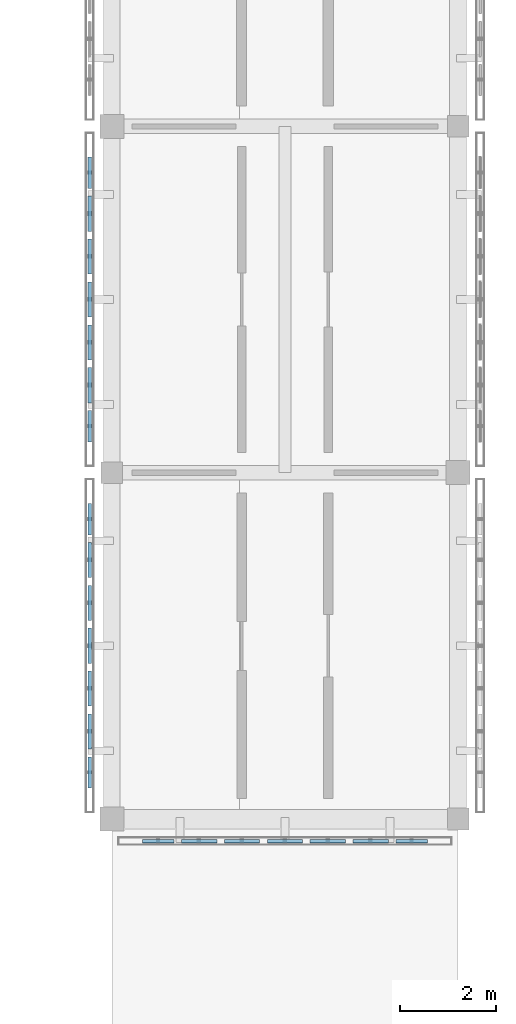
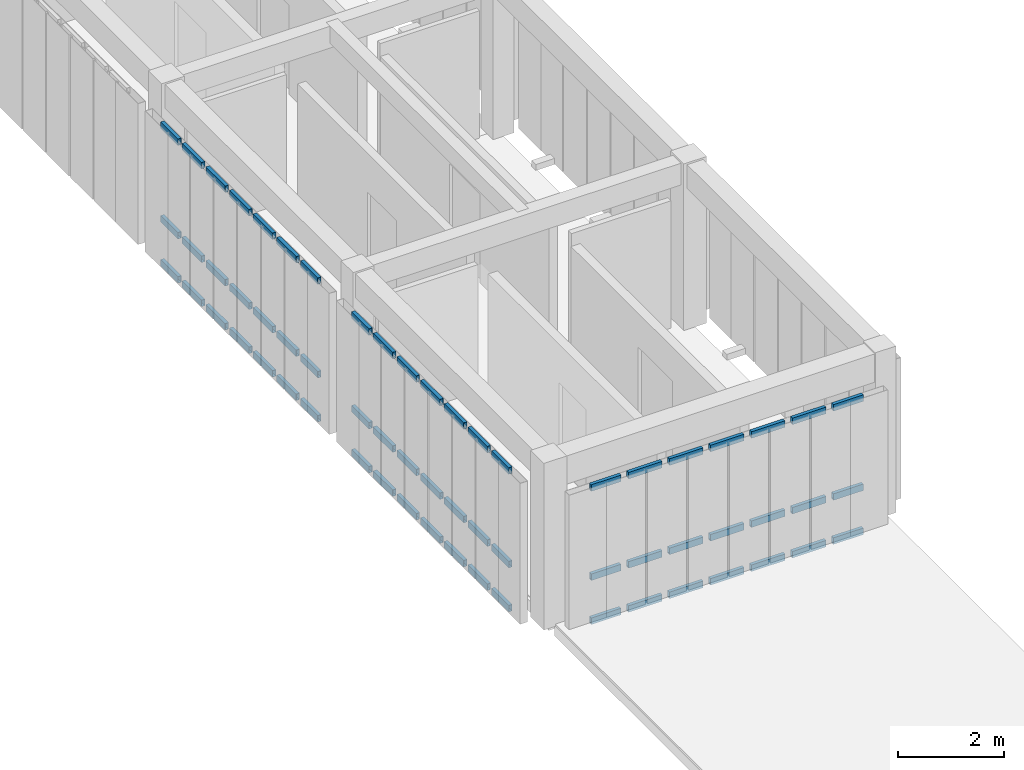
# One storey, part 29 of 67: 63 members, 3 elements without a shape of their own.
"""IFC4 building model written with IfcOpenShell, lengths in metres."""

from ifc_helpers import new_model, si_unit, direction, frame, origin, origin_2d, place, context, subcontext, project, spatial, hollow_rectangle, extrude, material, material_profile, profile_set, type_object, element, aggregate, save


model = new_model("IFC4")

# Units and contexts
model_context = context("Model", 3, precision=1e-05, world=origin(), true_north=direction((0.0, 1.0)))
body_context = subcontext(model_context, "Body", "Model", "MODEL_VIEW")
ifc_project = project(units=[si_unit("LENGTHUNIT", "METRE"), si_unit("AREAUNIT", "SQUARE_METRE"), si_unit("VOLUMEUNIT", "CUBIC_METRE"), si_unit("PLANEANGLEUNIT", "RADIAN"), si_unit("MASSUNIT", "GRAM", prefix="KILO")], contexts=[model_context])

# Site, building, storey
site_placement = place(None, origin())
site = spatial("IfcSite", under=ifc_project, at=site_placement, CompositionType="ELEMENT")
building_placement = place(site_placement, origin())
building = spatial("IfcBuilding", under=site, at=building_placement, Name="Aldebral Square Health Centre", CompositionType="ELEMENT")
storey_placement = place(building_placement, frame((0.0, 0.0, 13.5)))
storey = spatial("IfcBuildingStorey", under=building, at=storey_placement, Name="L03", CompositionType="ELEMENT", Elevation=13.5)

# Curtain wall, members
ifc_material_1 = material(Name="Aluminium and low-E solar glass", Category="aluminium")
curtain_wall_type = type_object("IfcCurtainWallType", Name="CW-FIN-SYS", PredefinedType="USERDEFINED", material=ifc_material_1)
curtain_wall_1_placement = place(storey_placement, origin())
curtain_wall_1 = element("IfcCurtainWall", 1, at=curtain_wall_1_placement, inside=storey, type_object=curtain_wall_type, Name="L03 V5 finned curtain wall L03-V5-19-11-S", ObjectType="SOLAR_CURTAIN_WALL", PredefinedType="USERDEFINED")
ifc_material_2 = material(Name="Anodised aluminium transom", Category="aluminium")
ifc_material_profile = material_profile(ifc_material_2, hollow_rectangle(XDim=0.074951171875, YDim=0.14990234375, WallThickness=0.00390625, at=origin_2d()), Name="CWT 75x150x4")
ifc_profile_set = profile_set([ifc_material_profile], Name="Anodised aluminium transom")
member_type = type_object("IfcMemberType", Name="CWT-STD", PredefinedType="USERDEFINED", material=ifc_profile_set)
member_1_placement = place(storey_placement, frame((137.43994140625, 78.739990234375, 0.03759765625), z_axis=(1.0, 0.0, 0.0), x_axis=(0.0, 1.0, 0.0)))
member_1 = element("IfcMember", 2, at=member_1_placement, type_object=member_type, Name="CW1 transom 1.1", ObjectType="TRANSOM", PredefinedType="USERDEFINED", context=body_context, shape_type="SweptSolid", body=[
    extrude(hollow_rectangle(XDim=0.074951171875, YDim=0.14990234375, WallThickness=0.00390625, at=origin_2d()), origin(), (0.0, 0.0, 1.0), 0.6513671875),
])
member_2_placement = place(storey_placement, frame((137.43994140625, 78.739990234375, 1.050048828125), z_axis=(1.0, 0.0, 0.0), x_axis=(0.0, 1.0, 0.0)))
member_2 = element("IfcMember", 3, at=member_2_placement, type_object=member_type, Name="CW1 transom 1.2", ObjectType="TRANSOM", PredefinedType="USERDEFINED", context=body_context, shape_type="SweptSolid", body=[
    extrude(hollow_rectangle(XDim=0.074951171875, YDim=0.14990234375, WallThickness=0.00390625, at=origin_2d()), origin(), (0.0, 0.0, 1.0), 0.6513671875),
])
member_3_placement = place(storey_placement, frame((137.43994140625, 78.739990234375, 3.1025390625), z_axis=(1.0, 0.0, 0.0), x_axis=(0.0, 1.0, 0.0)))
member_3 = element("IfcMember", 4, at=member_3_placement, type_object=member_type, Name="CW1 transom 1.3", ObjectType="TRANSOM", PredefinedType="USERDEFINED", context=body_context, shape_type="SweptSolid", body=[
    extrude(hollow_rectangle(XDim=0.074951171875, YDim=0.14990234375, WallThickness=0.00390625, at=origin_2d()), origin(), (0.0, 0.0, 1.0), 0.6513671875),
])
member_4_placement = place(storey_placement, frame((138.25146484375, 78.739990234375, 0.03759765625), z_axis=(1.0, 0.0, 0.0), x_axis=(0.0, 1.0, 0.0)))
member_4 = element("IfcMember", 5, at=member_4_placement, type_object=member_type, Name="CW1 transom 2.1", ObjectType="TRANSOM", PredefinedType="USERDEFINED", context=body_context, shape_type="SweptSolid", body=[
    extrude(hollow_rectangle(XDim=0.074951171875, YDim=0.14990234375, WallThickness=0.00390625, at=origin_2d()), origin(), (0.0, 0.0, 1.0), 0.7314453125),
])
member_5_placement = place(storey_placement, frame((138.25146484375, 78.739990234375, 1.050048828125), z_axis=(1.0, 0.0, 0.0), x_axis=(0.0, 1.0, 0.0)))
member_5 = element("IfcMember", 6, at=member_5_placement, type_object=member_type, Name="CW1 transom 2.2", ObjectType="TRANSOM", PredefinedType="USERDEFINED", context=body_context, shape_type="SweptSolid", body=[
    extrude(hollow_rectangle(XDim=0.074951171875, YDim=0.14990234375, WallThickness=0.00390625, at=origin_2d()), origin(), (0.0, 0.0, 1.0), 0.7314453125),
])
member_6_placement = place(storey_placement, frame((138.25146484375, 78.739990234375, 3.1025390625), z_axis=(1.0, 0.0, 0.0), x_axis=(0.0, 1.0, 0.0)))
member_6 = element("IfcMember", 7, at=member_6_placement, type_object=member_type, Name="CW1 transom 2.3", ObjectType="TRANSOM", PredefinedType="USERDEFINED", context=body_context, shape_type="SweptSolid", body=[
    extrude(hollow_rectangle(XDim=0.074951171875, YDim=0.14990234375, WallThickness=0.00390625, at=origin_2d()), origin(), (0.0, 0.0, 1.0), 0.7314453125),
])
member_7_placement = place(storey_placement, frame((139.142822265625, 78.739990234375, 0.03759765625), z_axis=(1.0, 0.0, 0.0), x_axis=(0.0, 1.0, 0.0)))
member_7 = element("IfcMember", 8, at=member_7_placement, type_object=member_type, Name="CW1 transom 3.1", ObjectType="TRANSOM", PredefinedType="USERDEFINED", context=body_context, shape_type="SweptSolid", body=[
    extrude(hollow_rectangle(XDim=0.074951171875, YDim=0.14990234375, WallThickness=0.00390625, at=origin_2d()), origin(), (0.0, 0.0, 1.0), 0.7314453125),
])
member_8_placement = place(storey_placement, frame((139.142822265625, 78.739990234375, 1.050048828125), z_axis=(1.0, 0.0, 0.0), x_axis=(0.0, 1.0, 0.0)))
member_8 = element("IfcMember", 9, at=member_8_placement, type_object=member_type, Name="CW1 transom 3.2", ObjectType="TRANSOM", PredefinedType="USERDEFINED", context=body_context, shape_type="SweptSolid", body=[
    extrude(hollow_rectangle(XDim=0.074951171875, YDim=0.14990234375, WallThickness=0.00390625, at=origin_2d()), origin(), (0.0, 0.0, 1.0), 0.7314453125),
])
member_9_placement = place(storey_placement, frame((139.142822265625, 78.739990234375, 3.1025390625), z_axis=(1.0, 0.0, 0.0), x_axis=(0.0, 1.0, 0.0)))
member_9 = element("IfcMember", 10, at=member_9_placement, type_object=member_type, Name="CW1 transom 3.3", ObjectType="TRANSOM", PredefinedType="USERDEFINED", context=body_context, shape_type="SweptSolid", body=[
    extrude(hollow_rectangle(XDim=0.074951171875, YDim=0.14990234375, WallThickness=0.00390625, at=origin_2d()), origin(), (0.0, 0.0, 1.0), 0.7314453125),
])
member_10_placement = place(storey_placement, frame((140.0341796875, 78.739990234375, 0.03759765625), z_axis=(1.0, 0.0, 0.0), x_axis=(0.0, 1.0, 0.0)))
member_10 = element("IfcMember", 11, at=member_10_placement, type_object=member_type, Name="CW1 transom 4.1", ObjectType="TRANSOM", PredefinedType="USERDEFINED", context=body_context, shape_type="SweptSolid", body=[
    extrude(hollow_rectangle(XDim=0.074951171875, YDim=0.14990234375, WallThickness=0.00390625, at=origin_2d()), origin(), (0.0, 0.0, 1.0), 0.7314453125),
])
member_11_placement = place(storey_placement, frame((140.0341796875, 78.739990234375, 1.050048828125), z_axis=(1.0, 0.0, 0.0), x_axis=(0.0, 1.0, 0.0)))
member_11 = element("IfcMember", 12, at=member_11_placement, type_object=member_type, Name="CW1 transom 4.2", ObjectType="TRANSOM", PredefinedType="USERDEFINED", context=body_context, shape_type="SweptSolid", body=[
    extrude(hollow_rectangle(XDim=0.074951171875, YDim=0.14990234375, WallThickness=0.00390625, at=origin_2d()), origin(), (0.0, 0.0, 1.0), 0.7314453125),
])
member_12_placement = place(storey_placement, frame((140.0341796875, 78.739990234375, 3.1025390625), z_axis=(1.0, 0.0, 0.0), x_axis=(0.0, 1.0, 0.0)))
member_12 = element("IfcMember", 13, at=member_12_placement, type_object=member_type, Name="CW1 transom 4.3", ObjectType="TRANSOM", PredefinedType="USERDEFINED", context=body_context, shape_type="SweptSolid", body=[
    extrude(hollow_rectangle(XDim=0.074951171875, YDim=0.14990234375, WallThickness=0.00390625, at=origin_2d()), origin(), (0.0, 0.0, 1.0), 0.7314453125),
])
member_13_placement = place(storey_placement, frame((140.92578125, 78.739990234375, 0.03759765625), z_axis=(1.0, 0.0, 0.0), x_axis=(0.0, 1.0, 0.0)))
member_13 = element("IfcMember", 14, at=member_13_placement, type_object=member_type, Name="CW1 transom 5.1", ObjectType="TRANSOM", PredefinedType="USERDEFINED", context=body_context, shape_type="SweptSolid", body=[
    extrude(hollow_rectangle(XDim=0.074951171875, YDim=0.14990234375, WallThickness=0.00390625, at=origin_2d()), origin(), (0.0, 0.0, 1.0), 0.7314453125),
])
member_14_placement = place(storey_placement, frame((140.92578125, 78.739990234375, 1.050048828125), z_axis=(1.0, 0.0, 0.0), x_axis=(0.0, 1.0, 0.0)))
member_14 = element("IfcMember", 15, at=member_14_placement, type_object=member_type, Name="CW1 transom 5.2", ObjectType="TRANSOM", PredefinedType="USERDEFINED", context=body_context, shape_type="SweptSolid", body=[
    extrude(hollow_rectangle(XDim=0.074951171875, YDim=0.14990234375, WallThickness=0.00390625, at=origin_2d()), origin(), (0.0, 0.0, 1.0), 0.7314453125),
])
member_15_placement = place(storey_placement, frame((140.92578125, 78.739990234375, 3.1025390625), z_axis=(1.0, 0.0, 0.0), x_axis=(0.0, 1.0, 0.0)))
member_15 = element("IfcMember", 16, at=member_15_placement, type_object=member_type, Name="CW1 transom 5.3", ObjectType="TRANSOM", PredefinedType="USERDEFINED", context=body_context, shape_type="SweptSolid", body=[
    extrude(hollow_rectangle(XDim=0.074951171875, YDim=0.14990234375, WallThickness=0.00390625, at=origin_2d()), origin(), (0.0, 0.0, 1.0), 0.7314453125),
])
member_16_placement = place(storey_placement, frame((141.817138671875, 78.739990234375, 0.03759765625), z_axis=(1.0, 0.0, 0.0), x_axis=(0.0, 1.0, 0.0)))
member_16 = element("IfcMember", 17, at=member_16_placement, type_object=member_type, Name="CW1 transom 6.1", ObjectType="TRANSOM", PredefinedType="USERDEFINED", context=body_context, shape_type="SweptSolid", body=[
    extrude(hollow_rectangle(XDim=0.074951171875, YDim=0.14990234375, WallThickness=0.00390625, at=origin_2d()), origin(), (0.0, 0.0, 1.0), 0.7314453125),
])
member_17_placement = place(storey_placement, frame((141.817138671875, 78.739990234375, 1.050048828125), z_axis=(1.0, 0.0, 0.0), x_axis=(0.0, 1.0, 0.0)))
member_17 = element("IfcMember", 18, at=member_17_placement, type_object=member_type, Name="CW1 transom 6.2", ObjectType="TRANSOM", PredefinedType="USERDEFINED", context=body_context, shape_type="SweptSolid", body=[
    extrude(hollow_rectangle(XDim=0.074951171875, YDim=0.14990234375, WallThickness=0.00390625, at=origin_2d()), origin(), (0.0, 0.0, 1.0), 0.7314453125),
])
member_18_placement = place(storey_placement, frame((141.817138671875, 78.739990234375, 3.1025390625), z_axis=(1.0, 0.0, 0.0), x_axis=(0.0, 1.0, 0.0)))
member_18 = element("IfcMember", 19, at=member_18_placement, type_object=member_type, Name="CW1 transom 6.3", ObjectType="TRANSOM", PredefinedType="USERDEFINED", context=body_context, shape_type="SweptSolid", body=[
    extrude(hollow_rectangle(XDim=0.074951171875, YDim=0.14990234375, WallThickness=0.00390625, at=origin_2d()), origin(), (0.0, 0.0, 1.0), 0.7314453125),
])
member_19_placement = place(storey_placement, frame((142.70849609375, 78.739990234375, 0.03759765625), z_axis=(1.0, 0.0, 0.0), x_axis=(0.0, 1.0, 0.0)))
member_19 = element("IfcMember", 20, at=member_19_placement, type_object=member_type, Name="CW1 transom 7.1", ObjectType="TRANSOM", PredefinedType="USERDEFINED", context=body_context, shape_type="SweptSolid", body=[
    extrude(hollow_rectangle(XDim=0.074951171875, YDim=0.14990234375, WallThickness=0.00390625, at=origin_2d()), origin(), (0.0, 0.0, 1.0), 0.651611328125),
])
member_20_placement = place(storey_placement, frame((142.70849609375, 78.739990234375, 1.050048828125), z_axis=(1.0, 0.0, 0.0), x_axis=(0.0, 1.0, 0.0)))
member_20 = element("IfcMember", 21, at=member_20_placement, type_object=member_type, Name="CW1 transom 7.2", ObjectType="TRANSOM", PredefinedType="USERDEFINED", context=body_context, shape_type="SweptSolid", body=[
    extrude(hollow_rectangle(XDim=0.074951171875, YDim=0.14990234375, WallThickness=0.00390625, at=origin_2d()), origin(), (0.0, 0.0, 1.0), 0.651611328125),
])
member_21_placement = place(storey_placement, frame((142.70849609375, 78.739990234375, 3.1025390625), z_axis=(1.0, 0.0, 0.0), x_axis=(0.0, 1.0, 0.0)))
member_21 = element("IfcMember", 22, at=member_21_placement, type_object=member_type, Name="CW1 transom 7.3", ObjectType="TRANSOM", PredefinedType="USERDEFINED", context=body_context, shape_type="SweptSolid", body=[
    extrude(hollow_rectangle(XDim=0.074951171875, YDim=0.14990234375, WallThickness=0.00390625, at=origin_2d()), origin(), (0.0, 0.0, 1.0), 0.651611328125),
])
aggregate(curtain_wall_1, [member_1, member_2, member_3, member_4, member_5, member_6, member_7, member_8, member_9, member_10, member_11, member_12, member_13, member_14, member_15, member_16, member_17, member_18, member_19, member_20, member_21])

curtain_wall_2_placement = place(storey_placement, origin())
curtain_wall_2 = element("IfcCurtainWall", 23, at=curtain_wall_2_placement, inside=storey, type_object=curtain_wall_type, Name="L03 V5 finned curtain wall L03-V5-19-11-W", ObjectType="SOLAR_CURTAIN_WALL", PredefinedType="USERDEFINED")
member_22_placement = place(storey_placement, frame((136.340087890625, 85.760009765625, 0.03759765625), z_axis=(0.0, -1.0, 0.0), x_axis=(1.0, 0.0, 0.0)))
member_22 = element("IfcMember", 24, at=member_22_placement, type_object=member_type, Name="CW1 transom 1.1", ObjectType="TRANSOM", PredefinedType="USERDEFINED", context=body_context, shape_type="SweptSolid", body=[
    extrude(hollow_rectangle(XDim=0.074951171875, YDim=0.14990234375, WallThickness=0.00390625, at=origin_2d()), origin(), (0.0, 0.0, 1.0), 0.6513671875),
])
member_23_placement = place(storey_placement, frame((136.340087890625, 85.760009765625, 1.050048828125), z_axis=(0.0, -1.0, 0.0), x_axis=(1.0, 0.0, 0.0)))
member_23 = element("IfcMember", 25, at=member_23_placement, type_object=member_type, Name="CW1 transom 1.2", ObjectType="TRANSOM", PredefinedType="USERDEFINED", context=body_context, shape_type="SweptSolid", body=[
    extrude(hollow_rectangle(XDim=0.074951171875, YDim=0.14990234375, WallThickness=0.00390625, at=origin_2d()), origin(), (0.0, 0.0, 1.0), 0.6513671875),
])
member_24_placement = place(storey_placement, frame((136.340087890625, 85.760009765625, 3.202392578125), z_axis=(0.0, -1.0, 0.0), x_axis=(1.0, 0.0, 0.0)))
member_24 = element("IfcMember", 26, at=member_24_placement, type_object=member_type, Name="CW1 transom 1.3", ObjectType="TRANSOM", PredefinedType="USERDEFINED", context=body_context, shape_type="SweptSolid", body=[
    extrude(hollow_rectangle(XDim=0.074951171875, YDim=0.14990234375, WallThickness=0.00390625, at=origin_2d()), origin(), (0.0, 0.0, 1.0), 0.6513671875),
])
member_25_placement = place(storey_placement, frame((136.340087890625, 84.948486328125, 0.03759765625), z_axis=(0.0, -1.0, 0.0), x_axis=(1.0, 0.0, 0.0)))
member_25 = element("IfcMember", 27, at=member_25_placement, type_object=member_type, Name="CW1 transom 2.1", ObjectType="TRANSOM", PredefinedType="USERDEFINED", context=body_context, shape_type="SweptSolid", body=[
    extrude(hollow_rectangle(XDim=0.074951171875, YDim=0.14990234375, WallThickness=0.00390625, at=origin_2d()), origin(), (0.0, 0.0, 1.0), 0.7314453125),
])
member_26_placement = place(storey_placement, frame((136.340087890625, 84.948486328125, 1.050048828125), z_axis=(0.0, -1.0, 0.0), x_axis=(1.0, 0.0, 0.0)))
member_26 = element("IfcMember", 28, at=member_26_placement, type_object=member_type, Name="CW1 transom 2.2", ObjectType="TRANSOM", PredefinedType="USERDEFINED", context=body_context, shape_type="SweptSolid", body=[
    extrude(hollow_rectangle(XDim=0.074951171875, YDim=0.14990234375, WallThickness=0.00390625, at=origin_2d()), origin(), (0.0, 0.0, 1.0), 0.7314453125),
])
member_27_placement = place(storey_placement, frame((136.340087890625, 84.948486328125, 3.202392578125), z_axis=(0.0, -1.0, 0.0), x_axis=(1.0, 0.0, 0.0)))
member_27 = element("IfcMember", 29, at=member_27_placement, type_object=member_type, Name="CW1 transom 2.3", ObjectType="TRANSOM", PredefinedType="USERDEFINED", context=body_context, shape_type="SweptSolid", body=[
    extrude(hollow_rectangle(XDim=0.074951171875, YDim=0.14990234375, WallThickness=0.00390625, at=origin_2d()), origin(), (0.0, 0.0, 1.0), 0.7314453125),
])
member_28_placement = place(storey_placement, frame((136.340087890625, 84.05712890625, 0.03759765625), z_axis=(0.0, -1.0, 0.0), x_axis=(1.0, 0.0, 0.0)))
member_28 = element("IfcMember", 30, at=member_28_placement, type_object=member_type, Name="CW1 transom 3.1", ObjectType="TRANSOM", PredefinedType="USERDEFINED", context=body_context, shape_type="SweptSolid", body=[
    extrude(hollow_rectangle(XDim=0.074951171875, YDim=0.14990234375, WallThickness=0.00390625, at=origin_2d()), origin(), (0.0, 0.0, 1.0), 0.7314453125),
])
member_29_placement = place(storey_placement, frame((136.340087890625, 84.05712890625, 1.050048828125), z_axis=(0.0, -1.0, 0.0), x_axis=(1.0, 0.0, 0.0)))
member_29 = element("IfcMember", 31, at=member_29_placement, type_object=member_type, Name="CW1 transom 3.2", ObjectType="TRANSOM", PredefinedType="USERDEFINED", context=body_context, shape_type="SweptSolid", body=[
    extrude(hollow_rectangle(XDim=0.074951171875, YDim=0.14990234375, WallThickness=0.00390625, at=origin_2d()), origin(), (0.0, 0.0, 1.0), 0.7314453125),
])
member_30_placement = place(storey_placement, frame((136.340087890625, 84.05712890625, 3.202392578125), z_axis=(0.0, -1.0, 0.0), x_axis=(1.0, 0.0, 0.0)))
member_30 = element("IfcMember", 32, at=member_30_placement, type_object=member_type, Name="CW1 transom 3.3", ObjectType="TRANSOM", PredefinedType="USERDEFINED", context=body_context, shape_type="SweptSolid", body=[
    extrude(hollow_rectangle(XDim=0.074951171875, YDim=0.14990234375, WallThickness=0.00390625, at=origin_2d()), origin(), (0.0, 0.0, 1.0), 0.7314453125),
])
member_31_placement = place(storey_placement, frame((136.340087890625, 83.165771484375, 0.03759765625), z_axis=(0.0, -1.0, 0.0), x_axis=(1.0, 0.0, 0.0)))
member_31 = element("IfcMember", 33, at=member_31_placement, type_object=member_type, Name="CW1 transom 4.1", ObjectType="TRANSOM", PredefinedType="USERDEFINED", context=body_context, shape_type="SweptSolid", body=[
    extrude(hollow_rectangle(XDim=0.074951171875, YDim=0.14990234375, WallThickness=0.00390625, at=origin_2d()), origin(), (0.0, 0.0, 1.0), 0.7314453125),
])
member_32_placement = place(storey_placement, frame((136.340087890625, 83.165771484375, 1.050048828125), z_axis=(0.0, -1.0, 0.0), x_axis=(1.0, 0.0, 0.0)))
member_32 = element("IfcMember", 34, at=member_32_placement, type_object=member_type, Name="CW1 transom 4.2", ObjectType="TRANSOM", PredefinedType="USERDEFINED", context=body_context, shape_type="SweptSolid", body=[
    extrude(hollow_rectangle(XDim=0.074951171875, YDim=0.14990234375, WallThickness=0.00390625, at=origin_2d()), origin(), (0.0, 0.0, 1.0), 0.7314453125),
])
member_33_placement = place(storey_placement, frame((136.340087890625, 83.165771484375, 3.202392578125), z_axis=(0.0, -1.0, 0.0), x_axis=(1.0, 0.0, 0.0)))
member_33 = element("IfcMember", 35, at=member_33_placement, type_object=member_type, Name="CW1 transom 4.3", ObjectType="TRANSOM", PredefinedType="USERDEFINED", context=body_context, shape_type="SweptSolid", body=[
    extrude(hollow_rectangle(XDim=0.074951171875, YDim=0.14990234375, WallThickness=0.00390625, at=origin_2d()), origin(), (0.0, 0.0, 1.0), 0.7314453125),
])
member_34_placement = place(storey_placement, frame((136.340087890625, 82.274169921875, 0.03759765625), z_axis=(0.0, -1.0, 0.0), x_axis=(1.0, 0.0, 0.0)))
member_34 = element("IfcMember", 36, at=member_34_placement, type_object=member_type, Name="CW1 transom 5.1", ObjectType="TRANSOM", PredefinedType="USERDEFINED", context=body_context, shape_type="SweptSolid", body=[
    extrude(hollow_rectangle(XDim=0.074951171875, YDim=0.14990234375, WallThickness=0.00390625, at=origin_2d()), origin(), (0.0, 0.0, 1.0), 0.731201171875),
])
member_35_placement = place(storey_placement, frame((136.340087890625, 82.274169921875, 1.050048828125), z_axis=(0.0, -1.0, 0.0), x_axis=(1.0, 0.0, 0.0)))
member_35 = element("IfcMember", 37, at=member_35_placement, type_object=member_type, Name="CW1 transom 5.2", ObjectType="TRANSOM", PredefinedType="USERDEFINED", context=body_context, shape_type="SweptSolid", body=[
    extrude(hollow_rectangle(XDim=0.074951171875, YDim=0.14990234375, WallThickness=0.00390625, at=origin_2d()), origin(), (0.0, 0.0, 1.0), 0.731201171875),
])
member_36_placement = place(storey_placement, frame((136.340087890625, 82.274169921875, 3.202392578125), z_axis=(0.0, -1.0, 0.0), x_axis=(1.0, 0.0, 0.0)))
member_36 = element("IfcMember", 38, at=member_36_placement, type_object=member_type, Name="CW1 transom 5.3", ObjectType="TRANSOM", PredefinedType="USERDEFINED", context=body_context, shape_type="SweptSolid", body=[
    extrude(hollow_rectangle(XDim=0.074951171875, YDim=0.14990234375, WallThickness=0.00390625, at=origin_2d()), origin(), (0.0, 0.0, 1.0), 0.731201171875),
])
member_37_placement = place(storey_placement, frame((136.340087890625, 81.3828125, 0.03759765625), z_axis=(0.0, -1.0, 0.0), x_axis=(1.0, 0.0, 0.0)))
member_37 = element("IfcMember", 39, at=member_37_placement, type_object=member_type, Name="CW1 transom 6.1", ObjectType="TRANSOM", PredefinedType="USERDEFINED", context=body_context, shape_type="SweptSolid", body=[
    extrude(hollow_rectangle(XDim=0.074951171875, YDim=0.14990234375, WallThickness=0.00390625, at=origin_2d()), origin(), (0.0, 0.0, 1.0), 0.7314453125),
])
member_38_placement = place(storey_placement, frame((136.340087890625, 81.3828125, 1.050048828125), z_axis=(0.0, -1.0, 0.0), x_axis=(1.0, 0.0, 0.0)))
member_38 = element("IfcMember", 40, at=member_38_placement, type_object=member_type, Name="CW1 transom 6.2", ObjectType="TRANSOM", PredefinedType="USERDEFINED", context=body_context, shape_type="SweptSolid", body=[
    extrude(hollow_rectangle(XDim=0.074951171875, YDim=0.14990234375, WallThickness=0.00390625, at=origin_2d()), origin(), (0.0, 0.0, 1.0), 0.7314453125),
])
member_39_placement = place(storey_placement, frame((136.340087890625, 81.3828125, 3.202392578125), z_axis=(0.0, -1.0, 0.0), x_axis=(1.0, 0.0, 0.0)))
member_39 = element("IfcMember", 41, at=member_39_placement, type_object=member_type, Name="CW1 transom 6.3", ObjectType="TRANSOM", PredefinedType="USERDEFINED", context=body_context, shape_type="SweptSolid", body=[
    extrude(hollow_rectangle(XDim=0.074951171875, YDim=0.14990234375, WallThickness=0.00390625, at=origin_2d()), origin(), (0.0, 0.0, 1.0), 0.7314453125),
])
member_40_placement = place(storey_placement, frame((136.340087890625, 80.491455078125, 0.03759765625), z_axis=(0.0, -1.0, 0.0), x_axis=(1.0, 0.0, 0.0)))
member_40 = element("IfcMember", 42, at=member_40_placement, type_object=member_type, Name="CW1 transom 7.1", ObjectType="TRANSOM", PredefinedType="USERDEFINED", context=body_context, shape_type="SweptSolid", body=[
    extrude(hollow_rectangle(XDim=0.074951171875, YDim=0.14990234375, WallThickness=0.00390625, at=origin_2d()), origin(), (0.0, 0.0, 1.0), 0.6513671875),
])
member_41_placement = place(storey_placement, frame((136.340087890625, 80.491455078125, 1.050048828125), z_axis=(0.0, -1.0, 0.0), x_axis=(1.0, 0.0, 0.0)))
member_41 = element("IfcMember", 43, at=member_41_placement, type_object=member_type, Name="CW1 transom 7.2", ObjectType="TRANSOM", PredefinedType="USERDEFINED", context=body_context, shape_type="SweptSolid", body=[
    extrude(hollow_rectangle(XDim=0.074951171875, YDim=0.14990234375, WallThickness=0.00390625, at=origin_2d()), origin(), (0.0, 0.0, 1.0), 0.6513671875),
])
member_42_placement = place(storey_placement, frame((136.340087890625, 80.491455078125, 3.202392578125), z_axis=(0.0, -1.0, 0.0), x_axis=(1.0, 0.0, 0.0)))
member_42 = element("IfcMember", 44, at=member_42_placement, type_object=member_type, Name="CW1 transom 7.3", ObjectType="TRANSOM", PredefinedType="USERDEFINED", context=body_context, shape_type="SweptSolid", body=[
    extrude(hollow_rectangle(XDim=0.074951171875, YDim=0.14990234375, WallThickness=0.00390625, at=origin_2d()), origin(), (0.0, 0.0, 1.0), 0.6513671875),
])
aggregate(curtain_wall_2, [member_22, member_23, member_24, member_25, member_26, member_27, member_28, member_29, member_30, member_31, member_32, member_33, member_34, member_35, member_36, member_37, member_38, member_39, member_40, member_41, member_42])

curtain_wall_3_placement = place(storey_placement, origin())
curtain_wall_3 = element("IfcCurtainWall", 45, at=curtain_wall_3_placement, inside=storey, type_object=curtain_wall_type, Name="L03 V5 finned curtain wall L03-V5-19-12-W", ObjectType="SOLAR_CURTAIN_WALL", PredefinedType="USERDEFINED")
member_43_placement = place(storey_placement, frame((136.340087890625, 92.9599609375, 0.03759765625), z_axis=(0.0, -1.0, 0.0), x_axis=(1.0, 0.0, 0.0)))
member_43 = element("IfcMember", 46, at=member_43_placement, type_object=member_type, Name="CW1 transom 1.1", ObjectType="TRANSOM", PredefinedType="USERDEFINED", context=body_context, shape_type="SweptSolid", body=[
    extrude(hollow_rectangle(XDim=0.074951171875, YDim=0.14990234375, WallThickness=0.00390625, at=origin_2d()), origin(), (0.0, 0.0, 1.0), 0.6513671875),
])
member_44_placement = place(storey_placement, frame((136.340087890625, 92.9599609375, 1.050048828125), z_axis=(0.0, -1.0, 0.0), x_axis=(1.0, 0.0, 0.0)))
member_44 = element("IfcMember", 47, at=member_44_placement, type_object=member_type, Name="CW1 transom 1.2", ObjectType="TRANSOM", PredefinedType="USERDEFINED", context=body_context, shape_type="SweptSolid", body=[
    extrude(hollow_rectangle(XDim=0.074951171875, YDim=0.14990234375, WallThickness=0.00390625, at=origin_2d()), origin(), (0.0, 0.0, 1.0), 0.6513671875),
])
member_45_placement = place(storey_placement, frame((136.340087890625, 92.9599609375, 3.202392578125), z_axis=(0.0, -1.0, 0.0), x_axis=(1.0, 0.0, 0.0)))
member_45 = element("IfcMember", 48, at=member_45_placement, type_object=member_type, Name="CW1 transom 1.3", ObjectType="TRANSOM", PredefinedType="USERDEFINED", context=body_context, shape_type="SweptSolid", body=[
    extrude(hollow_rectangle(XDim=0.074951171875, YDim=0.14990234375, WallThickness=0.00390625, at=origin_2d()), origin(), (0.0, 0.0, 1.0), 0.6513671875),
])
member_46_placement = place(storey_placement, frame((136.340087890625, 92.148681640625, 0.03759765625), z_axis=(0.0, -1.0, 0.0), x_axis=(1.0, 0.0, 0.0)))
member_46 = element("IfcMember", 49, at=member_46_placement, type_object=member_type, Name="CW1 transom 2.1", ObjectType="TRANSOM", PredefinedType="USERDEFINED", context=body_context, shape_type="SweptSolid", body=[
    extrude(hollow_rectangle(XDim=0.074951171875, YDim=0.14990234375, WallThickness=0.00390625, at=origin_2d()), origin(), (0.0, 0.0, 1.0), 0.7314453125),
])
member_47_placement = place(storey_placement, frame((136.340087890625, 92.148681640625, 1.050048828125), z_axis=(0.0, -1.0, 0.0), x_axis=(1.0, 0.0, 0.0)))
member_47 = element("IfcMember", 50, at=member_47_placement, type_object=member_type, Name="CW1 transom 2.2", ObjectType="TRANSOM", PredefinedType="USERDEFINED", context=body_context, shape_type="SweptSolid", body=[
    extrude(hollow_rectangle(XDim=0.074951171875, YDim=0.14990234375, WallThickness=0.00390625, at=origin_2d()), origin(), (0.0, 0.0, 1.0), 0.7314453125),
])
member_48_placement = place(storey_placement, frame((136.340087890625, 92.148681640625, 3.202392578125), z_axis=(0.0, -1.0, 0.0), x_axis=(1.0, 0.0, 0.0)))
member_48 = element("IfcMember", 51, at=member_48_placement, type_object=member_type, Name="CW1 transom 2.3", ObjectType="TRANSOM", PredefinedType="USERDEFINED", context=body_context, shape_type="SweptSolid", body=[
    extrude(hollow_rectangle(XDim=0.074951171875, YDim=0.14990234375, WallThickness=0.00390625, at=origin_2d()), origin(), (0.0, 0.0, 1.0), 0.7314453125),
])
member_49_placement = place(storey_placement, frame((136.340087890625, 91.257080078125, 0.03759765625), z_axis=(0.0, -1.0, 0.0), x_axis=(1.0, 0.0, 0.0)))
member_49 = element("IfcMember", 52, at=member_49_placement, type_object=member_type, Name="CW1 transom 3.1", ObjectType="TRANSOM", PredefinedType="USERDEFINED", context=body_context, shape_type="SweptSolid", body=[
    extrude(hollow_rectangle(XDim=0.074951171875, YDim=0.14990234375, WallThickness=0.00390625, at=origin_2d()), origin(), (0.0, 0.0, 1.0), 0.7314453125),
])
member_50_placement = place(storey_placement, frame((136.340087890625, 91.257080078125, 1.050048828125), z_axis=(0.0, -1.0, 0.0), x_axis=(1.0, 0.0, 0.0)))
member_50 = element("IfcMember", 53, at=member_50_placement, type_object=member_type, Name="CW1 transom 3.2", ObjectType="TRANSOM", PredefinedType="USERDEFINED", context=body_context, shape_type="SweptSolid", body=[
    extrude(hollow_rectangle(XDim=0.074951171875, YDim=0.14990234375, WallThickness=0.00390625, at=origin_2d()), origin(), (0.0, 0.0, 1.0), 0.7314453125),
])
member_51_placement = place(storey_placement, frame((136.340087890625, 91.257080078125, 3.202392578125), z_axis=(0.0, -1.0, 0.0), x_axis=(1.0, 0.0, 0.0)))
member_51 = element("IfcMember", 54, at=member_51_placement, type_object=member_type, Name="CW1 transom 3.3", ObjectType="TRANSOM", PredefinedType="USERDEFINED", context=body_context, shape_type="SweptSolid", body=[
    extrude(hollow_rectangle(XDim=0.074951171875, YDim=0.14990234375, WallThickness=0.00390625, at=origin_2d()), origin(), (0.0, 0.0, 1.0), 0.7314453125),
])
member_52_placement = place(storey_placement, frame((136.340087890625, 90.36572265625, 0.03759765625), z_axis=(0.0, -1.0, 0.0), x_axis=(1.0, 0.0, 0.0)))
member_52 = element("IfcMember", 55, at=member_52_placement, type_object=member_type, Name="CW1 transom 4.1", ObjectType="TRANSOM", PredefinedType="USERDEFINED", context=body_context, shape_type="SweptSolid", body=[
    extrude(hollow_rectangle(XDim=0.074951171875, YDim=0.14990234375, WallThickness=0.00390625, at=origin_2d()), origin(), (0.0, 0.0, 1.0), 0.7314453125),
])
member_53_placement = place(storey_placement, frame((136.340087890625, 90.36572265625, 1.050048828125), z_axis=(0.0, -1.0, 0.0), x_axis=(1.0, 0.0, 0.0)))
member_53 = element("IfcMember", 56, at=member_53_placement, type_object=member_type, Name="CW1 transom 4.2", ObjectType="TRANSOM", PredefinedType="USERDEFINED", context=body_context, shape_type="SweptSolid", body=[
    extrude(hollow_rectangle(XDim=0.074951171875, YDim=0.14990234375, WallThickness=0.00390625, at=origin_2d()), origin(), (0.0, 0.0, 1.0), 0.7314453125),
])
member_54_placement = place(storey_placement, frame((136.340087890625, 90.36572265625, 3.202392578125), z_axis=(0.0, -1.0, 0.0), x_axis=(1.0, 0.0, 0.0)))
member_54 = element("IfcMember", 57, at=member_54_placement, type_object=member_type, Name="CW1 transom 4.3", ObjectType="TRANSOM", PredefinedType="USERDEFINED", context=body_context, shape_type="SweptSolid", body=[
    extrude(hollow_rectangle(XDim=0.074951171875, YDim=0.14990234375, WallThickness=0.00390625, at=origin_2d()), origin(), (0.0, 0.0, 1.0), 0.7314453125),
])
member_55_placement = place(storey_placement, frame((136.340087890625, 89.474365234375, 0.03759765625), z_axis=(0.0, -1.0, 0.0), x_axis=(1.0, 0.0, 0.0)))
member_55 = element("IfcMember", 58, at=member_55_placement, type_object=member_type, Name="CW1 transom 5.1", ObjectType="TRANSOM", PredefinedType="USERDEFINED", context=body_context, shape_type="SweptSolid", body=[
    extrude(hollow_rectangle(XDim=0.074951171875, YDim=0.14990234375, WallThickness=0.00390625, at=origin_2d()), origin(), (0.0, 0.0, 1.0), 0.7314453125),
])
member_56_placement = place(storey_placement, frame((136.340087890625, 89.474365234375, 1.050048828125), z_axis=(0.0, -1.0, 0.0), x_axis=(1.0, 0.0, 0.0)))
member_56 = element("IfcMember", 59, at=member_56_placement, type_object=member_type, Name="CW1 transom 5.2", ObjectType="TRANSOM", PredefinedType="USERDEFINED", context=body_context, shape_type="SweptSolid", body=[
    extrude(hollow_rectangle(XDim=0.074951171875, YDim=0.14990234375, WallThickness=0.00390625, at=origin_2d()), origin(), (0.0, 0.0, 1.0), 0.7314453125),
])
member_57_placement = place(storey_placement, frame((136.340087890625, 89.474365234375, 3.202392578125), z_axis=(0.0, -1.0, 0.0), x_axis=(1.0, 0.0, 0.0)))
member_57 = element("IfcMember", 60, at=member_57_placement, type_object=member_type, Name="CW1 transom 5.3", ObjectType="TRANSOM", PredefinedType="USERDEFINED", context=body_context, shape_type="SweptSolid", body=[
    extrude(hollow_rectangle(XDim=0.074951171875, YDim=0.14990234375, WallThickness=0.00390625, at=origin_2d()), origin(), (0.0, 0.0, 1.0), 0.7314453125),
])
member_58_placement = place(storey_placement, frame((136.340087890625, 88.582763671875, 0.03759765625), z_axis=(0.0, -1.0, 0.0), x_axis=(1.0, 0.0, 0.0)))
member_58 = element("IfcMember", 61, at=member_58_placement, type_object=member_type, Name="CW1 transom 6.1", ObjectType="TRANSOM", PredefinedType="USERDEFINED", context=body_context, shape_type="SweptSolid", body=[
    extrude(hollow_rectangle(XDim=0.074951171875, YDim=0.14990234375, WallThickness=0.00390625, at=origin_2d()), origin(), (0.0, 0.0, 1.0), 0.7314453125),
])
member_59_placement = place(storey_placement, frame((136.340087890625, 88.582763671875, 1.050048828125), z_axis=(0.0, -1.0, 0.0), x_axis=(1.0, 0.0, 0.0)))
member_59 = element("IfcMember", 62, at=member_59_placement, type_object=member_type, Name="CW1 transom 6.2", ObjectType="TRANSOM", PredefinedType="USERDEFINED", context=body_context, shape_type="SweptSolid", body=[
    extrude(hollow_rectangle(XDim=0.074951171875, YDim=0.14990234375, WallThickness=0.00390625, at=origin_2d()), origin(), (0.0, 0.0, 1.0), 0.7314453125),
])
member_60_placement = place(storey_placement, frame((136.340087890625, 88.582763671875, 3.202392578125), z_axis=(0.0, -1.0, 0.0), x_axis=(1.0, 0.0, 0.0)))
member_60 = element("IfcMember", 63, at=member_60_placement, type_object=member_type, Name="CW1 transom 6.3", ObjectType="TRANSOM", PredefinedType="USERDEFINED", context=body_context, shape_type="SweptSolid", body=[
    extrude(hollow_rectangle(XDim=0.074951171875, YDim=0.14990234375, WallThickness=0.00390625, at=origin_2d()), origin(), (0.0, 0.0, 1.0), 0.7314453125),
])
member_61_placement = place(storey_placement, frame((136.340087890625, 87.69140625, 0.03759765625), z_axis=(0.0, -1.0, 0.0), x_axis=(1.0, 0.0, 0.0)))
member_61 = element("IfcMember", 64, at=member_61_placement, type_object=member_type, Name="CW1 transom 7.1", ObjectType="TRANSOM", PredefinedType="USERDEFINED", context=body_context, shape_type="SweptSolid", body=[
    extrude(hollow_rectangle(XDim=0.074951171875, YDim=0.14990234375, WallThickness=0.00390625, at=origin_2d()), origin(), (0.0, 0.0, 1.0), 0.6513671875),
])
member_62_placement = place(storey_placement, frame((136.340087890625, 87.69140625, 1.050048828125), z_axis=(0.0, -1.0, 0.0), x_axis=(1.0, 0.0, 0.0)))
member_62 = element("IfcMember", 65, at=member_62_placement, type_object=member_type, Name="CW1 transom 7.2", ObjectType="TRANSOM", PredefinedType="USERDEFINED", context=body_context, shape_type="SweptSolid", body=[
    extrude(hollow_rectangle(XDim=0.074951171875, YDim=0.14990234375, WallThickness=0.00390625, at=origin_2d()), origin(), (0.0, 0.0, 1.0), 0.6513671875),
])
member_63_placement = place(storey_placement, frame((136.340087890625, 87.69140625, 3.202392578125), z_axis=(0.0, -1.0, 0.0), x_axis=(1.0, 0.0, 0.0)))
member_63 = element("IfcMember", 66, at=member_63_placement, type_object=member_type, Name="CW1 transom 7.3", ObjectType="TRANSOM", PredefinedType="USERDEFINED", context=body_context, shape_type="SweptSolid", body=[
    extrude(hollow_rectangle(XDim=0.074951171875, YDim=0.14990234375, WallThickness=0.00390625, at=origin_2d()), origin(), (0.0, 0.0, 1.0), 0.6513671875),
])
aggregate(curtain_wall_3, [member_43, member_44, member_45, member_46, member_47, member_48, member_49, member_50, member_51, member_52, member_53, member_54, member_55, member_56, member_57, member_58, member_59, member_60, member_61, member_62, member_63])

save(model, "model.ifc")
